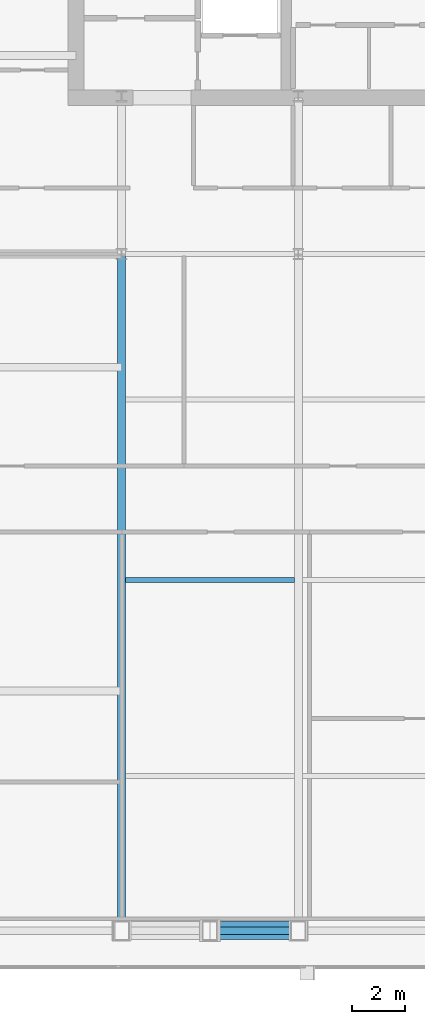
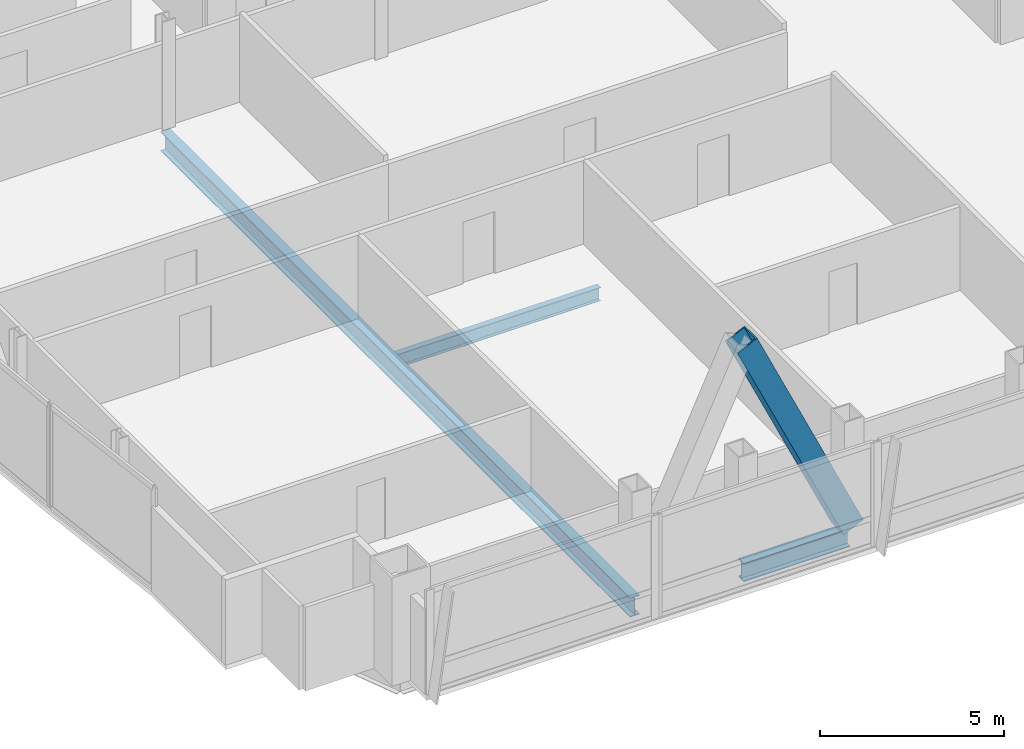
# One storey, part 7 of 32: 3 beams, 1 member.
"""IFC4 building model written with IfcOpenShell, lengths in metres."""

from ifc_helpers import new_model, si_unit, direction, frame, origin, origin_2d, place, context, subcontext, project, spatial, hollow_rectangle, i_section, extrude, material, material_profile, profile_set, type_object, element, save


model = new_model("IFC4")

# Units and contexts
model_context = context("Model", 3, precision=1e-05, world=origin(), true_north=direction((0.0, 1.0)))
body_context = subcontext(model_context, "Body", "Model", "MODEL_VIEW")
ifc_project = project(units=[si_unit("LENGTHUNIT", "METRE"), si_unit("AREAUNIT", "SQUARE_METRE"), si_unit("VOLUMEUNIT", "CUBIC_METRE"), si_unit("PLANEANGLEUNIT", "RADIAN"), si_unit("MASSUNIT", "GRAM", prefix="KILO")], contexts=[model_context])

# Site, building, storey
site_placement = place(None, origin())
site = spatial("IfcSite", under=ifc_project, at=site_placement, CompositionType="ELEMENT")
building_placement = place(site_placement, origin())
building = spatial("IfcBuilding", under=site, at=building_placement, Name="Khoronbel Lancet Exchange", CompositionType="ELEMENT")
storey_placement = place(building_placement, frame((0.0, 0.0, 231.800048828125)))
storey = spatial("IfcBuildingStorey", under=building, at=storey_placement, Name="L59", CompositionType="ELEMENT", Elevation=231.800048828125)

# Beams
ifc_material_1 = material(Name="Steel S355", Category="steel")
ifc_material_profile_1 = material_profile(ifc_material_1, i_section(OverallWidth=0.300048828125, OverallDepth=0.64990234375, WebThickness=0.01611328125, FlangeThickness=0.031005859375, at=origin_2d()), Name="HEB 650")
ifc_profile_set_1 = profile_set([ifc_material_profile_1], Name="Steel S355")
beam_type_1 = type_object("IfcBeamType", Name="BM-BG4", PredefinedType="BEAM", material=ifc_profile_set_1)
beam_1_placement = place(storey_placement, frame((18.22509765625, 10.14990234375, -0.485107421875), z_axis=(0.0, 1.0, 0.0), x_axis=(-1.0, 0.0, 0.0)))
element("IfcBeam", 1, at=beam_1_placement, inside=storey, type_object=beam_type_1, Name="Level L59 south primary girder GS1", PredefinedType="BEAM", context=body_context, shape_type="SweptSolid", body=[
    extrude(i_section(OverallWidth=0.300048828125, OverallDepth=0.64990234375, WebThickness=0.01611328125, FlangeThickness=0.031005859375, at=origin_2d()), origin(), (0.0, 0.0, 1.0), 25.550048828125),
])
ifc_material_profile_2 = material_profile(ifc_material_1, i_section(OverallWidth=0.18994140625, OverallDepth=0.449951171875, WebThickness=0.009521484375, FlangeThickness=0.0146484375, at=origin_2d()), Name="IPE 450")
ifc_profile_set_2 = profile_set([ifc_material_profile_2], Name="Steel S355")
beam_type_2 = type_object("IfcBeamType", Name="BM-BJ4", PredefinedType="JOIST", material=ifc_profile_set_2)
beam_2_placement = place(storey_placement, frame((18.375, 23.39990234375, -0.385009765625), z_axis=(1.0, 0.0, 0.0), x_axis=(0.0, 1.0, 0.0)))
element("IfcBeam", 2, at=beam_2_placement, inside=storey, type_object=beam_type_2, Name="Level L59 secondary composite joist J06", PredefinedType="JOIST", context=body_context, shape_type="SweptSolid", body=[
    extrude(i_section(OverallWidth=0.18994140625, OverallDepth=0.449951171875, WebThickness=0.009521484375, FlangeThickness=0.0146484375, at=origin_2d()), origin(), (0.0, 0.0, 1.0), 6.375),
])
ifc_material_profile_3 = material_profile(ifc_material_1, i_section(OverallWidth=0.300048828125, OverallDepth=0.60009765625, WebThickness=0.015380859375, FlangeThickness=0.030029296875, at=origin_2d()), Name="HEB 600")
ifc_profile_set_3 = profile_set([ifc_material_profile_3], Name="Steel S355")
beam_type_3 = type_object("IfcBeamType", Name="BM-BSP2", PredefinedType="SPANDREL", material=ifc_profile_set_3)
beam_3_placement = place(storey_placement, frame((21.5625, 10.14990234375, -0.4599609375), z_axis=(1.0, 0.0, 0.0), x_axis=(0.0, 1.0, 0.0)))
element("IfcBeam", 3, at=beam_3_placement, inside=storey, type_object=beam_type_3, Name="Level L59 perimeter spandrel beam SP03", PredefinedType="SPANDREL", context=body_context, shape_type="SweptSolid", body=[
    extrude(i_section(OverallWidth=0.300048828125, OverallDepth=0.60009765625, WebThickness=0.015380859375, FlangeThickness=0.030029296875, at=origin_2d()), origin(), (0.0, 0.0, 1.0), 3.33740234375),
])

# Member
ifc_material_2 = material(Name="Steel S460", Category="steel")
ifc_material_profile_4 = material_profile(ifc_material_2, hollow_rectangle(XDim=0.679931640625, YDim=0.679931640625, WallThickness=0.044921875, at=origin_2d()), Name="BOX 680x680x45")
ifc_profile_set_4 = profile_set([ifc_material_profile_4], Name="Steel S460")
member_type = type_object("IfcMemberType", Name="MEM-MB3", PredefinedType="BRACE", material=ifc_profile_set_4)
member_placement = place(storey_placement, frame((24.89990234375, 10.14990234375, 0.0), z_axis=(-0.420548106082, 0.0, 0.907270241147), x_axis=(0.0, -1.0, 0.0)))
element("IfcMember", 4, at=member_placement, inside=storey, type_object=member_type, Name="Perimeter lancet brace tier 20 S-W-R", PredefinedType="BRACE", context=body_context, shape_type="SweptSolid", body=[
    extrude(hollow_rectangle(XDim=0.679931640625, YDim=0.679931640625, WallThickness=0.044921875, at=origin_2d()), origin(), (0.0, 0.0, 1.0), 7.935791015625),
])

save(model, "model.ifc")
